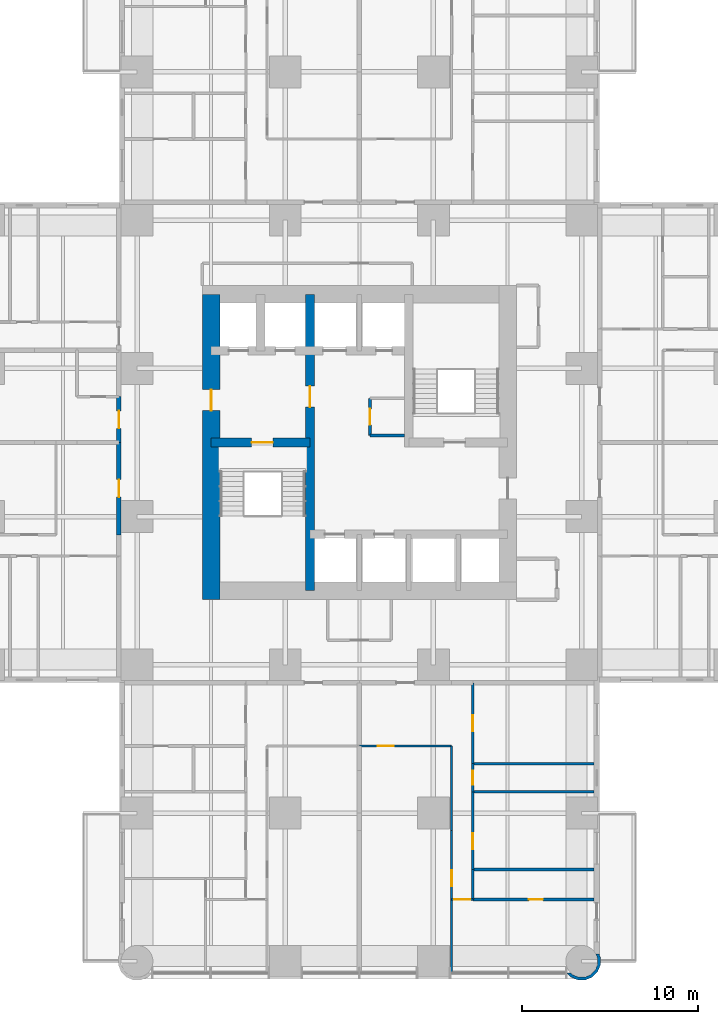
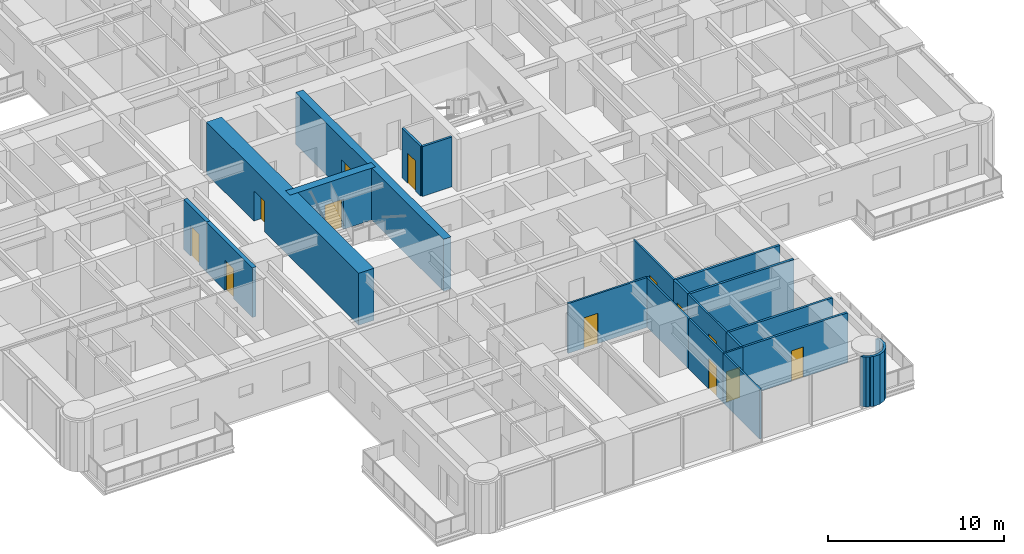
# One storey, part 9 of 17: 21 walls, 13 doors, 13 openings.
"""IFC4 building model written with IfcOpenShell, lengths in metres."""

from ifc_helpers import new_model, si_unit, direction, frame, frame_2d, origin, place, context, subcontext, project, spatial, polyline, rectangle, outline, extrude, material, layer, layer_set, type_object, element, fill, save


model = new_model("IFC4")

# Units and contexts
model_context = context("Model", 3, precision=1e-05, world=origin(), true_north=direction((0.0, 1.0)))
body_context = subcontext(model_context, "Body", "Model", "MODEL_VIEW")
ifc_project = project(units=[si_unit("LENGTHUNIT", "METRE"), si_unit("AREAUNIT", "SQUARE_METRE"), si_unit("VOLUMEUNIT", "CUBIC_METRE"), si_unit("PLANEANGLEUNIT", "RADIAN"), si_unit("MASSUNIT", "GRAM", prefix="KILO")], contexts=[model_context])

# Site, building, storey
site_placement = place(None, origin())
site = spatial("IfcSite", under=ifc_project, at=site_placement, CompositionType="ELEMENT")
building_placement = place(site_placement, origin())
building = spatial("IfcBuilding", under=site, at=building_placement, Name="Torre Alcanfor", CompositionType="ELEMENT")
storey_placement = place(building_placement, frame((0.0, 0.0, 48.89990234375)))
storey = spatial("IfcBuildingStorey", under=building, at=storey_placement, Name="L11", CompositionType="ELEMENT", Elevation=48.89990234375)

# Wall, opening, door
ifc_material_1 = material(Name="Concrete block masonry, hollow blocks NMX-C-404 9 MPa", Category="masonry")
ifc_layer_1 = layer(ifc_material_1, 0.25)
ifc_layer_set_1 = layer_set([ifc_layer_1], Name="Apartment entrance wall 250 EI 60")
wall_type_1 = type_object("IfcWallType", Name="Apartment entrance wall 250 EI 60", PredefinedType="PARTITIONING", material=ifc_layer_set_1)
wall_1_placement = place(storey_placement, frame((15.77490234375, 24.1708984375, 0.0), z_axis=(0.0, 0.0, 1.0), x_axis=(0.0, 1.0, 0.0)))
wall_1 = element("IfcWall", 1, at=wall_1_placement, inside=storey, type_object=wall_type_1, Name="Partition L11-CORR / L11-W1-ZAG", PredefinedType="PARTITIONING", context=body_context, shape_type="SweptSolid", body=[
    extrude(rectangle(XDim=5.22900390625, YDim=0.25, at=frame_2d((2.614501953125, 0.0))), origin(), (0.0, 0.0, 1.0), 3.4501953125),
])
opening_1_placement = place(wall_1_placement, frame((2.12890625, 0.0, 0.0)))
opening_1 = element("IfcOpeningElement", 2, at=opening_1_placement, cuts=wall_1, Name="Opening D-A1", PredefinedType="OPENING", context=body_context, shape_type="SweptSolid", body=[
    extrude(rectangle(XDim=1.0, YDim=2.10009765625, at=frame_2d((0.5, 1.050048828125))), frame((0.0, 0.135009765625, 0.0), z_axis=(0.0, -1.0, 0.0), x_axis=(1.0, 0.0, 0.0)), (0.0, 0.0, 1.0), 0.27001953125),
])
ifc_material_2 = material(Name="Galvanised steel sheet ASTM A653", Category="steel")
door_type_1 = type_object("IfcDoorType", Name="Apartment entrance door FD60 1000x2100", OperationType="SINGLE_SWING_LEFT", PredefinedType="DOOR", material=ifc_material_2)
door_1_placement = place(opening_1_placement, origin())
door_1 = element("IfcDoor", 3, at=door_1_placement, inside=storey, type_object=door_type_1, Name="Apartment entrance L11-W1", OperationType="SINGLE_SWING_RIGHT", OverallHeight=2.10009765625, OverallWidth=1.0, PredefinedType="DOOR", context=body_context, shape_type="SweptSolid", body=[
    extrude(rectangle(XDim=1.0, YDim=2.10009765625, at=frame_2d((0.5, 1.050048828125))), frame((0.0, 0.02490234375, 0.0), z_axis=(0.0, -1.0, 0.0), x_axis=(1.0, 0.0, 0.0)), (0.0, 0.0, 1.0), 0.050048828125),
])
fill(opening_1, door_1)

wall_2_placement = place(storey_placement, frame((15.77490234375, 29.39990234375, 0.0), z_axis=(0.0, 0.0, 1.0), x_axis=(0.0, 1.0, 0.0)))
wall_2 = element("IfcWall", 4, at=wall_2_placement, inside=storey, type_object=wall_type_1, Name="Partition L11-CORR / L11-W2A-FOYER", PredefinedType="PARTITIONING", context=body_context, shape_type="SweptSolid", body=[
    extrude(rectangle(XDim=2.60009765625, YDim=0.25, at=frame_2d((1.300048828125, 0.0))), origin(), (0.0, 0.0, 1.0), 3.4501953125),
])
opening_2_placement = place(wall_2_placement, frame((0.800048828125, 0.0, 0.0)))
opening_2 = element("IfcOpeningElement", 5, at=opening_2_placement, cuts=wall_2, Name="Opening D-A1", PredefinedType="OPENING", context=body_context, shape_type="SweptSolid", body=[
    extrude(rectangle(XDim=1.0, YDim=2.10009765625, at=frame_2d((0.5, 1.050048828125))), frame((0.0, 0.135009765625, 0.0), z_axis=(0.0, -1.0, 0.0), x_axis=(1.0, 0.0, 0.0)), (0.0, 0.0, 1.0), 0.27001953125),
])
door_2_placement = place(opening_2_placement, origin())
door_2 = element("IfcDoor", 6, at=door_2_placement, inside=storey, type_object=door_type_1, Name="Apartment entrance L11-W2A", OperationType="SINGLE_SWING_LEFT", OverallHeight=2.10009765625, OverallWidth=1.0, PredefinedType="DOOR", context=body_context, shape_type="SweptSolid", body=[
    extrude(rectangle(XDim=1.0, YDim=2.10009765625, at=frame_2d((0.5, 1.050048828125))), frame((0.0, 0.02490234375, 0.0), z_axis=(0.0, -1.0, 0.0), x_axis=(1.0, 0.0, 0.0)), (0.0, 0.0, 1.0), 0.050048828125),
])
fill(opening_2, door_2)

ifc_material_3 = material(Name="Gypsum board on steel studs", Category="steel")
ifc_layer_2 = layer(ifc_material_3, 0.1201171875)
ifc_layer_set_2 = layer_set([ifc_layer_2], Name="Apartment partition 120")
wall_type_2 = type_object("IfcWallType", Name="Apartment partition 120", PredefinedType="PARTITIONING", material=ifc_layer_set_2)
wall_3_placement = place(storey_placement, frame((29.39990234375, 12.199951171875, 0.0), z_axis=(0.0, 0.0, 1.0), x_axis=(1.0, 0.0, 0.0)))
wall_3 = element("IfcWall", 7, at=wall_3_placement, inside=storey, type_object=wall_type_2, Name="Partition L11-S1-ZAG / L11-S1-KITCHEN", PredefinedType="PARTITIONING", context=body_context, shape_type="SweptSolid", body=[
    extrude(rectangle(XDim=5.22900390625, YDim=0.1201171875, at=frame_2d((2.614501953125, 0.0))), origin(), (0.0, 0.0, 1.0), 3.4501953125),
])
opening_3_placement = place(wall_3_placement, frame((1.050048828125, 0.0, 0.0)))
opening_3 = element("IfcOpeningElement", 8, at=opening_3_placement, cuts=wall_3, Name="Opening D-R1", PredefinedType="OPENING", context=body_context, shape_type="SweptSolid", body=[
    extrude(rectangle(XDim=0.89990234375, YDim=2.10009765625, at=frame_2d((0.449951171875, 1.050048828125))), frame((0.0, 0.070068359375, 0.0), z_axis=(0.0, -1.0, 0.0), x_axis=(1.0, 0.0, 0.0)), (0.0, 0.0, 1.0), 0.14013671875),
])
ifc_material_4 = material(Name="Timber", Category="wood")
door_type_2 = type_object("IfcDoorType", Name="Internal door 900x2100", OperationType="SINGLE_SWING_LEFT", PredefinedType="DOOR", material=ifc_material_4)
door_3_placement = place(opening_3_placement, frame((0.89990234375, 0.0, 0.0), z_axis=(0.0, 0.0, 1.0), x_axis=(-1.0, 0.0, 0.0)))
door_3 = element("IfcDoor", 9, at=door_3_placement, inside=storey, type_object=door_type_2, Name="Door L11-S1 kitchen", OperationType="SINGLE_SWING_RIGHT", OverallHeight=2.10009765625, OverallWidth=0.89990234375, PredefinedType="DOOR", context=body_context, shape_type="SweptSolid", body=[
    extrude(rectangle(XDim=0.89990234375, YDim=2.10009765625, at=frame_2d((0.449951171875, 1.050048828125))), frame((0.0, 0.025146484375, 0.0), z_axis=(0.0, -1.0, 0.0), x_axis=(1.0, 0.0, 0.0)), (0.0, 0.0, 1.0), 0.050048828125),
])
fill(opening_3, door_3)

# Wall
wall_4_placement = place(storey_placement, frame((34.62890625, 7.39990234375, 0.0), z_axis=(0.0, 0.0, 1.0), x_axis=(0.0, 1.0, 0.0)))
element("IfcWall", 10, at=wall_4_placement, inside=storey, type_object=wall_type_2, Name="Partition L11-S1-KITCHEN / L11-S1-HALL", PredefinedType="PARTITIONING", context=body_context, shape_type="SweptSolid", body=[
    extrude(rectangle(XDim=4.800048828125, YDim=0.1201171875, at=frame_2d((2.39990234375, 0.0))), origin(), (0.0, 0.0, 1.0), 3.4501953125),
])

# Wall, opening, door
wall_5_placement = place(storey_placement, frame((34.62890625, 3.5, 0.0), z_axis=(0.0, 0.0, 1.0), x_axis=(0.0, 1.0, 0.0)))
wall_5 = element("IfcWall", 11, at=wall_5_placement, inside=storey, type_object=wall_type_2, Name="Partition L11-S1-LIVING / L11-S1-HALL", PredefinedType="PARTITIONING", context=body_context, shape_type="SweptSolid", body=[
    extrude(rectangle(XDim=3.89990234375, YDim=0.1201171875, at=frame_2d((1.949951171875, 0.0))), origin(), (0.0, 0.0, 1.0), 3.4501953125),
])
opening_4_placement = place(wall_5_placement, frame((0.75, 0.0, 0.0)))
opening_4 = element("IfcOpeningElement", 12, at=opening_4_placement, cuts=wall_5, Name="Opening D-R1", PredefinedType="OPENING", context=body_context, shape_type="SweptSolid", body=[
    extrude(rectangle(XDim=0.89990234375, YDim=2.10009765625, at=frame_2d((0.449951171875, 1.050048828125))), frame((0.0, 0.070068359375, 0.0), z_axis=(0.0, -1.0, 0.0), x_axis=(1.0, 0.0, 0.0)), (0.0, 0.0, 1.0), 0.14013671875),
])
door_4_placement = place(opening_4_placement, origin())
door_4 = element("IfcDoor", 13, at=door_4_placement, inside=storey, type_object=door_type_2, Name="Door L11-S1 living", OperationType="SINGLE_SWING_RIGHT", OverallHeight=2.10009765625, OverallWidth=0.89990234375, PredefinedType="DOOR", context=body_context, shape_type="SweptSolid", body=[
    extrude(rectangle(XDim=0.89990234375, YDim=2.10009765625, at=frame_2d((0.449951171875, 1.050048828125))), frame((0.0, 0.02490234375, 0.0), z_axis=(0.0, -1.0, 0.0), x_axis=(1.0, 0.0, 0.0)), (0.0, 0.0, 1.0), 0.050048828125),
])
fill(opening_4, door_4)

# Wall
wall_6_placement = place(storey_placement, frame((34.62890625, -0.64990234375, 0.0), z_axis=(0.0, 0.0, 1.0), x_axis=(0.0, 1.0, 0.0)))
element("IfcWall", 14, at=wall_6_placement, inside=storey, type_object=wall_type_2, Name="Partition L11-S1-LIVING / L11-S1-MASTER", PredefinedType="PARTITIONING", context=body_context, shape_type="SweptSolid", body=[
    extrude(rectangle(XDim=4.14990234375, YDim=0.1201171875, at=frame_2d((2.074951171875, 0.0))), origin(), (0.0, 0.0, 1.0), 3.4501953125),
])

# Wall, opening, door
wall_7_placement = place(storey_placement, frame((35.8291015625, 11.199951171875, 0.0), z_axis=(0.0, 0.0, 1.0), x_axis=(0.0, 1.0, 0.0)))
wall_7 = element("IfcWall", 15, at=wall_7_placement, inside=storey, type_object=wall_type_2, Name="Partition L11-S1-HALL / L11-S1-BED3", PredefinedType="PARTITIONING", context=body_context, shape_type="SweptSolid", body=[
    extrude(rectangle(XDim=4.574951171875, YDim=0.1201171875, at=frame_2d((2.28759765625, 0.0))), origin(), (0.0, 0.0, 1.0), 3.4501953125),
])
opening_5_placement = place(wall_7_placement, frame((1.85009765625, 0.0, 0.0)))
opening_5 = element("IfcOpeningElement", 16, at=opening_5_placement, cuts=wall_7, Name="Opening D-R1", PredefinedType="OPENING", context=body_context, shape_type="SweptSolid", body=[
    extrude(rectangle(XDim=0.89990234375, YDim=2.10009765625, at=frame_2d((0.449951171875, 1.050048828125))), frame((0.0, 0.070068359375, 0.0), z_axis=(0.0, -1.0, 0.0), x_axis=(1.0, 0.0, 0.0)), (0.0, 0.0, 1.0), 0.14013671875),
])
door_5_placement = place(opening_5_placement, frame((0.89990234375, 0.0, 0.0), z_axis=(0.0, 0.0, 1.0), x_axis=(-1.0, 0.0, 0.0)))
door_5 = element("IfcDoor", 17, at=door_5_placement, inside=storey, type_object=door_type_2, Name="Door L11-S1 bed3", OperationType="SINGLE_SWING_LEFT", OverallHeight=2.10009765625, OverallWidth=0.89990234375, PredefinedType="DOOR", context=body_context, shape_type="SweptSolid", body=[
    extrude(rectangle(XDim=0.89990234375, YDim=2.10009765625, at=frame_2d((0.449951171875, 1.050048828125))), frame((0.0, 0.025146484375, 0.0), z_axis=(0.0, -1.0, 0.0), x_axis=(1.0, 0.0, 0.0)), (0.0, 0.0, 1.0), 0.050048828125),
])
fill(opening_5, door_5)

wall_8_placement = place(storey_placement, frame((35.8291015625, 5.199951171875, 0.0), z_axis=(0.0, 0.0, 1.0), x_axis=(0.0, 1.0, 0.0)))
wall_8 = element("IfcWall", 18, at=wall_8_placement, inside=storey, type_object=wall_type_2, Name="Partition L11-S1-HALL / L11-S1-BED2", PredefinedType="PARTITIONING", context=body_context, shape_type="SweptSolid", body=[
    extrude(rectangle(XDim=4.400146484375, YDim=0.1201171875, at=frame_2d((2.2001953125, 0.0))), origin(), (0.0, 0.0, 1.0), 3.4501953125),
])
opening_6_placement = place(wall_8_placement, frame((1.14990234375, 0.0, 0.0)))
opening_6 = element("IfcOpeningElement", 19, at=opening_6_placement, cuts=wall_8, Name="Opening D-R1", PredefinedType="OPENING", context=body_context, shape_type="SweptSolid", body=[
    extrude(rectangle(XDim=0.89990234375, YDim=2.10009765625, at=frame_2d((0.449951171875, 1.050048828125))), frame((0.0, 0.070068359375, 0.0), z_axis=(0.0, -1.0, 0.0), x_axis=(1.0, 0.0, 0.0)), (0.0, 0.0, 1.0), 0.14013671875),
])
door_6_placement = place(opening_6_placement, frame((0.89990234375, 0.0, 0.0), z_axis=(0.0, 0.0, 1.0), x_axis=(-1.0, 0.0, 0.0)))
door_6 = element("IfcDoor", 20, at=door_6_placement, inside=storey, type_object=door_type_2, Name="Door L11-S1 bed2", OperationType="SINGLE_SWING_RIGHT", OverallHeight=2.10009765625, OverallWidth=0.89990234375, PredefinedType="DOOR", context=body_context, shape_type="SweptSolid", body=[
    extrude(rectangle(XDim=0.89990234375, YDim=2.10009765625, at=frame_2d((0.449951171875, 1.050048828125))), frame((0.0, 0.025146484375, 0.0), z_axis=(0.0, -1.0, 0.0), x_axis=(1.0, 0.0, 0.0)), (0.0, 0.0, 1.0), 0.050048828125),
])
fill(opening_6, door_6)

wall_9_placement = place(storey_placement, frame((34.62890625, 3.5, 0.0), z_axis=(0.0, 0.0, 1.0), x_axis=(1.0, 0.0, 0.0)))
wall_9 = element("IfcWall", 21, at=wall_9_placement, inside=storey, type_object=wall_type_2, Name="Partition L11-S1-HALL / L11-S1-MASTER", PredefinedType="PARTITIONING", context=body_context, shape_type="SweptSolid", body=[
    extrude(rectangle(XDim=1.2001953125, YDim=0.1201171875, at=frame_2d((0.60009765625, 0.0))), origin(), (0.0, 0.0, 1.0), 3.4501953125),
])
opening_7_placement = place(wall_9_placement, frame((0.15087890625, 0.0, 0.0)))
opening_7 = element("IfcOpeningElement", 22, at=opening_7_placement, cuts=wall_9, Name="Opening D-R1", PredefinedType="OPENING", context=body_context, shape_type="SweptSolid", body=[
    extrude(rectangle(XDim=0.89990234375, YDim=2.10009765625, at=frame_2d((0.449951171875, 1.050048828125))), frame((0.0, 0.070068359375, 0.0), z_axis=(0.0, -1.0, 0.0), x_axis=(1.0, 0.0, 0.0)), (0.0, 0.0, 1.0), 0.14013671875),
])
door_7_placement = place(opening_7_placement, frame((0.89990234375, 0.0, 0.0), z_axis=(0.0, 0.0, 1.0), x_axis=(-1.0, 0.0, 0.0)))
door_7 = element("IfcDoor", 23, at=door_7_placement, inside=storey, type_object=door_type_2, Name="Door L11-S1 master", OperationType="SINGLE_SWING_RIGHT", OverallHeight=2.10009765625, OverallWidth=0.89990234375, PredefinedType="DOOR", context=body_context, shape_type="SweptSolid", body=[
    extrude(rectangle(XDim=0.89990234375, YDim=2.10009765625, at=frame_2d((0.449951171875, 1.050048828125))), frame((0.0, 0.025146484375, 0.0), z_axis=(0.0, -1.0, 0.0), x_axis=(1.0, 0.0, 0.0)), (0.0, 0.0, 1.0), 0.050048828125),
])
fill(opening_7, door_7)

ifc_material_5 = material(Name="Concrete f'c 70 MPa", Category="concrete")
ifc_layer_3 = layer(ifc_material_5, 0.5)
ifc_layer_set_3 = layer_set([ifc_layer_3], Name="Core inner wall 500 f'c70")
wall_type_3 = type_object("IfcWallType", Name="Core inner wall 500 f'c70", PredefinedType="SHEAR", material=ifc_layer_set_3)
wall_10_placement = place(storey_placement, frame((26.60009765625, 21.0, 0.0), z_axis=(0.0, 0.0, 1.0), x_axis=(0.0, 1.0, 0.0)))
wall_10 = element("IfcWall", 24, at=wall_10_placement, inside=storey, type_object=wall_type_3, Name="Core wall X266 L11", PredefinedType="SHEAR", context=body_context, shape_type="SweptSolid", body=[
    extrude(rectangle(XDim=16.800048828125, YDim=0.5, at=frame_2d((8.39990234375, 0.0))), origin(), (0.0, 0.0, 1.0), 3.60009765625),
])
opening_8_placement = place(wall_10_placement, frame((10.39990234375, 0.0, 0.0)))
opening_8 = element("IfcOpeningElement", 25, at=opening_8_placement, cuts=wall_10, Name="Opening D-L1", PredefinedType="OPENING", context=body_context, shape_type="SweptSolid", body=[
    extrude(rectangle(XDim=1.199951171875, YDim=2.10009765625, at=frame_2d((0.60009765625, 1.050048828125))), frame((0.0, 0.260009765625, 0.0), z_axis=(0.0, -1.0, 0.0), x_axis=(1.0, 0.0, 0.0)), (0.0, 0.0, 1.0), 0.52001953125),
])
ifc_material_6 = material(Name="Galvanised steel sheet ASTM A653", Category="steel")
door_type_3 = type_object("IfcDoorType", Name="Lobby door FD120 1200x2100", OperationType="SINGLE_SWING_LEFT", PredefinedType="DOOR", material=ifc_material_6)
door_8_placement = place(opening_8_placement, origin())
door_8 = element("IfcDoor", 26, at=door_8_placement, inside=storey, type_object=door_type_3, Name="Lift lobby door L11", OperationType="SINGLE_SWING_LEFT", OverallHeight=2.10009765625, OverallWidth=1.199951171875, PredefinedType="DOOR", context=body_context, shape_type="SweptSolid", body=[
    extrude(rectangle(XDim=1.199951171875, YDim=2.10009765625, at=frame_2d((0.60009765625, 1.050048828125))), frame((0.0, 0.02490234375, 0.0), z_axis=(0.0, -1.0, 0.0), x_axis=(1.0, 0.0, 0.0)), (0.0, 0.0, 1.0), 0.050048828125),
])
fill(opening_8, door_8)

wall_11_placement = place(storey_placement, frame((21.0, 29.39990234375, 0.0), z_axis=(0.0, 0.0, 1.0), x_axis=(1.0, 0.0, 0.0)))
wall_11 = element("IfcWall", 27, at=wall_11_placement, inside=storey, type_object=wall_type_3, Name="Core wall Y294W L11", PredefinedType="SHEAR", context=body_context, shape_type="SweptSolid", body=[
    extrude(rectangle(XDim=5.60009765625, YDim=0.5, at=frame_2d((2.800048828125, 0.0))), origin(), (0.0, 0.0, 1.0), 3.60009765625),
])
opening_9_placement = place(wall_11_placement, frame((2.300048828125, 0.0, 0.0)))
opening_9 = element("IfcOpeningElement", 28, at=opening_9_placement, cuts=wall_11, Name="Opening D-S2", PredefinedType="OPENING", context=body_context, shape_type="SweptSolid", body=[
    extrude(rectangle(XDim=1.199951171875, YDim=2.10009765625, at=frame_2d((0.60009765625, 1.050048828125))), frame((0.0, 0.260009765625, 0.0), z_axis=(0.0, -1.0, 0.0), x_axis=(1.0, 0.0, 0.0)), (0.0, 0.0, 1.0), 0.52001953125),
])
ifc_material_7 = material(Name="Galvanised steel sheet ASTM A653", Category="steel")
door_type_4 = type_object("IfcDoorType", Name="Stair enclosure door FD120 1200x2100", OperationType="SINGLE_SWING_LEFT", PredefinedType="DOOR", material=ifc_material_7)
door_9_placement = place(opening_9_placement, frame((1.199951171875, 0.0, 0.0), z_axis=(0.0, 0.0, 1.0), x_axis=(-1.0, 0.0, 0.0)))
door_9 = element("IfcDoor", 29, at=door_9_placement, inside=storey, type_object=door_type_4, Name="Stair S1 door L11", OperationType="SINGLE_SWING_LEFT", OverallHeight=2.10009765625, OverallWidth=1.199951171875, PredefinedType="DOOR", context=body_context, shape_type="SweptSolid", body=[
    extrude(rectangle(XDim=1.199951171875, YDim=2.10009765625, at=frame_2d((0.599853515625, 1.050048828125))), frame((0.0, 0.025146484375, 0.0), z_axis=(0.0, -1.0, 0.0), x_axis=(1.0, 0.0, 0.0)), (0.0, 0.0, 1.0), 0.050048828125),
])
fill(opening_9, door_9)

ifc_material_8 = material(Name="Concrete f'c 70 MPa", Category="concrete")
ifc_layer_4 = layer(ifc_material_8, 1.0)
ifc_layer_set_4 = layer_set([ifc_layer_4], Name="Core wall 1000 f'c70")
wall_type_4 = type_object("IfcWallType", Name="Core wall 1000 f'c70", PredefinedType="SHEAR", material=ifc_layer_set_4)
wall_12_placement = place(storey_placement, frame((21.0, 37.800048828125, 0.0), z_axis=(0.0, 0.0, 1.0), x_axis=(0.0, -1.0, 0.0)))
wall_12 = element("IfcWall", 30, at=wall_12_placement, inside=storey, type_object=wall_type_4, Name="Core wall OUT-W L11", PredefinedType="SHEAR", context=body_context, shape_type="SweptSolid", body=[
    extrude(rectangle(XDim=17.300048828125, YDim=1.0, at=frame_2d((8.64990234375, 0.0))), origin(), (0.0, 0.0, 1.0), 3.60009765625),
])
opening_10_placement = place(wall_12_placement, frame((5.39990234375, 0.0, 0.0)))
opening_10 = element("IfcOpeningElement", 31, at=opening_10_placement, cuts=wall_12, Name="Opening D-L1", PredefinedType="OPENING", context=body_context, shape_type="SweptSolid", body=[
    extrude(rectangle(XDim=1.199951171875, YDim=2.10009765625, at=frame_2d((0.60009765625, 1.050048828125))), frame((0.0, 0.510009765625, 0.0), z_axis=(0.0, -1.0, 0.0), x_axis=(1.0, 0.0, 0.0)), (0.0, 0.0, 1.0), 1.02001953125),
])
door_10_placement = place(opening_10_placement, origin())
door_10 = element("IfcDoor", 32, at=door_10_placement, inside=storey, type_object=door_type_3, Name="Firefighting lobby door L11", OperationType="SINGLE_SWING_LEFT", OverallHeight=2.10009765625, OverallWidth=1.199951171875, PredefinedType="DOOR", context=body_context, shape_type="SweptSolid", body=[
    extrude(rectangle(XDim=1.199951171875, YDim=2.10009765625, at=frame_2d((0.60009765625, 1.050048828125))), frame((0.0, 0.02490234375, 0.0), z_axis=(0.0, -1.0, 0.0), x_axis=(1.0, 0.0, 0.0)), (0.0, 0.0, 1.0), 0.050048828125),
])
fill(opening_10, door_10)

# Wall
ifc_material_9 = material(Name="Limestone cladding", Category="masonry")
ifc_layer_5 = layer(ifc_material_9, 0.0400390625, Name="Facing")
ifc_material_10 = material(Name="Ventilated air cavity")
ifc_layer_6 = layer(ifc_material_10, 0.02001953125, ventilated=True, Name="Ventilated joint")
ifc_material_11 = material(Name="Mineral wool insulation", Category="insulation")
ifc_layer_7 = layer(ifc_material_11, 0.10009765625, Name="Insulation")
ifc_material_12 = material(Name="Concrete f'c 35 MPa", Category="concrete")
ifc_layer_8 = layer(ifc_material_12, 0.139892578125, Name="Backing")
ifc_layer_set_5 = layer_set([ifc_layer_5, ifc_layer_6, ifc_layer_7, ifc_layer_8], Name="Rounded corner pier stone-clad 300")
wall_type_5 = type_object("IfcWallType", Name="Rounded corner pier stone-clad 300", PredefinedType="SOLIDWALL", material=ifc_layer_set_5)
wall_13_placement = place(storey_placement, frame((41.23340608, -0.610519256, 0.0), z_axis=(0.0, 0.0, 1.0), x_axis=(0.377204953059, -0.926129809145, 0.0)))
element("IfcWall", 33, at=wall_13_placement, inside=storey, type_object=wall_type_5, Name="Corner pier L11 16", PredefinedType="SOLIDWALL", context=body_context, shape_type="SweptSolid", body=[
    extrude(outline(polyline([(0.31873169437185855, 1.8425336525024494), (-0.07152710704046505, 2.001482809968314), (-0.24009471588869835, 2.0005449414227563), (-0.26941358666453996, 2.017231322070639), (-0.37003424962124987, 1.840731870737274), (-0.10240281114565264, 1.842182010528029), (0.22952066537421467, 1.7069923447343507), (0.48468330510664415, 1.4551793700683648), (0.6237907271323827, 1.1248909220292227), (0.6256685839754508, 0.7664021208386822), (0.49047891818177247, 0.4344786443188148), (0.23866594351578668, 0.1793160045863853), (0.09016005264750862, 0.11695717207098313), (0.01086965602056237, -0.07772001681430692), (0.024436010646714988, -0.08324547999388505), (0.3295868985749782, 0.04527476829386376), (0.48015223740573765, 0.19747796194128653), (0.49902760591309464, 0.19268993376963664), (0.5075741737852856, 0.2253240824532252), (0.6260202259498713, 0.3452676153211709), (0.7849693834157356, 0.7355264167334946), (0.7824906971943995, 1.1572636358175066), (0.6187245413991658, 1.5461003251275562), (0.31873169437185855, 1.8425336525024494)])), origin(), (0.0, 0.0, 1.0), 3.4501953125),
])

# Wall, opening, door
ifc_material_13 = material(Name="Cement board on steel studs", Category="steel")
ifc_layer_9 = layer(ifc_material_13, 0.14990234375)
ifc_layer_set_6 = layer_set([ifc_layer_9], Name="Wet area partition 150")
wall_type_6 = type_object("IfcWallType", Name="Wet area partition 150", PredefinedType="PARTITIONING", material=ifc_layer_set_6)
wall_14_placement = place(storey_placement, frame((35.8291015625, 9.60009765625, 0.0), z_axis=(0.0, 0.0, 1.0), x_axis=(0.0, 1.0, 0.0)))
wall_14 = element("IfcWall", 34, at=wall_14_placement, inside=storey, type_object=wall_type_6, Name="Partition L11-S1-HALL / L11-S1-BATH1", PredefinedType="PARTITIONING", context=body_context, shape_type="SweptSolid", body=[
    extrude(rectangle(XDim=1.599853515625, YDim=0.14990234375, at=frame_2d((0.7998046875, 0.0))), origin(), (0.0, 0.0, 1.0), 3.4501953125),
])
opening_11_placement = place(wall_14_placement, frame((0.39990234375, 0.0, 0.0)))
opening_11 = element("IfcOpeningElement", 35, at=opening_11_placement, cuts=wall_14, Name="Opening D-R2", PredefinedType="OPENING", context=body_context, shape_type="SweptSolid", body=[
    extrude(rectangle(XDim=0.800048828125, YDim=2.10009765625, at=frame_2d((0.39990234375, 1.050048828125))), frame((0.0, 0.0849609375, 0.0), z_axis=(0.0, -1.0, 0.0), x_axis=(1.0, 0.0, 0.0)), (0.0, 0.0, 1.0), 0.169921875),
])
ifc_material_14 = material(Name="Timber", Category="wood")
door_type_5 = type_object("IfcDoorType", Name="Bathroom door 800x2100", OperationType="SINGLE_SWING_LEFT", PredefinedType="DOOR", material=ifc_material_14)
door_11_placement = place(opening_11_placement, frame((0.800048828125, 0.0, 0.0), z_axis=(0.0, 0.0, 1.0), x_axis=(-1.0, 0.0, 0.0)))
door_11 = element("IfcDoor", 36, at=door_11_placement, inside=storey, type_object=door_type_5, Name="Door L11-S1 bath1", OperationType="SINGLE_SWING_RIGHT", OverallHeight=2.10009765625, OverallWidth=0.800048828125, PredefinedType="DOOR", context=body_context, shape_type="SweptSolid", body=[
    extrude(rectangle(XDim=0.800048828125, YDim=2.10009765625, at=frame_2d((0.400146484375, 1.050048828125))), frame((0.0, 0.025146484375, 0.0), z_axis=(0.0, -1.0, 0.0), x_axis=(1.0, 0.0, 0.0)), (0.0, 0.0, 1.0), 0.050048828125),
])
fill(opening_11, door_11)

# Walls
wall_15_placement = place(storey_placement, frame((35.8291015625, 3.5, 0.0), z_axis=(0.0, 0.0, 1.0), x_axis=(0.0, 1.0, 0.0)))
element("IfcWall", 37, at=wall_15_placement, inside=storey, type_object=wall_type_6, Name="Partition L11-S1-HALL / L11-S1-ENSBATH", PredefinedType="PARTITIONING", context=body_context, shape_type="SweptSolid", body=[
    extrude(rectangle(XDim=1.699951171875, YDim=0.14990234375, at=frame_2d((0.85009765625, 0.0))), origin(), (0.0, 0.0, 1.0), 3.4501953125),
])
for number, where, z_axis, x_axis, name in (
    (38, (35.8291015625, 11.199951171875, 0.0), (0.0, 0.0, 1.0), (1.0, 0.0, 0.0), "Partition L11-S1-BED3 / L11-S1-BATH1"),
    (39, (35.8291015625, 9.60009765625, 0.0), (0.0, 0.0, 1.0), (1.0, 0.0, 0.0), "Partition L11-S1-BATH1 / L11-S1-BED2"),
    (40, (35.8291015625, 5.199951171875, 0.0), (0.0, 0.0, 1.0), (1.0, 0.0, 0.0), "Partition L11-S1-BED2 / L11-S1-ENSBATH"),
):
    element("IfcWall", number, at=place(storey_placement, frame(where, z_axis=z_axis, x_axis=x_axis)), inside=storey, type_object=wall_type_6, Name=name, PredefinedType="PARTITIONING", context=body_context, shape_type="SweptSolid", body=[
        extrude(rectangle(XDim=6.870849609375, YDim=0.14990234375, at=frame_2d((3.435546875, 0.0))), origin(), (0.0, 0.0, 1.0), 3.4501953125),
    ])

# Wall, opening, door
wall_16_placement = place(storey_placement, frame((35.8291015625, 3.5, 0.0), z_axis=(0.0, 0.0, 1.0), x_axis=(1.0, 0.0, 0.0)))
wall_16 = element("IfcWall", 41, at=wall_16_placement, inside=storey, type_object=wall_type_6, Name="Partition L11-S1-ENSBATH / L11-S1-MASTER", PredefinedType="PARTITIONING", context=body_context, shape_type="SweptSolid", body=[
    extrude(rectangle(XDim=6.870849609375, YDim=0.14990234375, at=frame_2d((3.435546875, 0.0))), origin(), (0.0, 0.0, 1.0), 3.4501953125),
])
opening_12_placement = place(wall_16_placement, frame((3.1708984375, 0.0, 0.0)))
opening_12 = element("IfcOpeningElement", 42, at=opening_12_placement, cuts=wall_16, Name="Opening D-R2", PredefinedType="OPENING", context=body_context, shape_type="SweptSolid", body=[
    extrude(rectangle(XDim=0.800048828125, YDim=2.10009765625, at=frame_2d((0.39990234375, 1.050048828125))), frame((0.0, 0.0849609375, 0.0), z_axis=(0.0, -1.0, 0.0), x_axis=(1.0, 0.0, 0.0)), (0.0, 0.0, 1.0), 0.169921875),
])
door_12_placement = place(opening_12_placement, origin())
door_12 = element("IfcDoor", 43, at=door_12_placement, inside=storey, type_object=door_type_5, Name="Door L11-S1 ensbath", OperationType="SINGLE_SWING_RIGHT", OverallHeight=2.10009765625, OverallWidth=0.800048828125, PredefinedType="DOOR", context=body_context, shape_type="SweptSolid", body=[
    extrude(rectangle(XDim=0.800048828125, YDim=2.10009765625, at=frame_2d((0.39990234375, 1.050048828125))), frame((0.0, 0.02490234375, 0.0), z_axis=(0.0, -1.0, 0.0), x_axis=(1.0, 0.0, 0.0)), (0.0, 0.0, 1.0), 0.050048828125),
])
fill(opening_12, door_12)

# Wall
wall_17_placement = place(storey_placement, frame((31.949951171875, 29.800048828125, 0.0), z_axis=(0.0, 0.0, 1.0), x_axis=(-1.0, 0.0, 0.0)))
element("IfcWall", 44, at=wall_17_placement, inside=storey, type_object=wall_type_6, Name="Partition L11-LL / L11-CR1", PredefinedType="PARTITIONING", context=body_context, shape_type="SweptSolid", body=[
    extrude(rectangle(XDim=1.949951171875, YDim=0.14990234375, at=frame_2d((0.97509765625, 0.0))), origin(), (0.0, 0.0, 1.0), 3.4501953125),
])

# Wall, opening, door
wall_18_placement = place(storey_placement, frame((30.0, 29.800048828125, 0.0), z_axis=(0.0, 0.0, 1.0), x_axis=(0.0, 1.0, 0.0)))
wall_18 = element("IfcWall", 45, at=wall_18_placement, inside=storey, type_object=wall_type_6, Name="Partition L11-LL / L11-CR1", PredefinedType="PARTITIONING", context=body_context, shape_type="SweptSolid", body=[
    extrude(rectangle(XDim=2.099853515625, YDim=0.14990234375, at=frame_2d((1.0498046875, 0.0))), origin(), (0.0, 0.0, 1.0), 3.4501953125),
])
opening_13_placement = place(wall_18_placement, frame((0.60009765625, 0.0, 0.0)))
opening_13 = element("IfcOpeningElement", 46, at=opening_13_placement, cuts=wall_18, Name="Opening D-W1", PredefinedType="OPENING", context=body_context, shape_type="SweptSolid", body=[
    extrude(rectangle(XDim=0.89990234375, YDim=2.10009765625, at=frame_2d((0.449951171875, 1.050048828125))), frame((0.0, 0.0849609375, 0.0), z_axis=(0.0, -1.0, 0.0), x_axis=(1.0, 0.0, 0.0)), (0.0, 0.0, 1.0), 0.169921875),
])
ifc_material_15 = material(Name="Timber", Category="wood")
door_type_6 = type_object("IfcDoorType", Name="Toilet door 900x2100", OperationType="SINGLE_SWING_LEFT", PredefinedType="DOOR", material=ifc_material_15)
door_13_placement = place(opening_13_placement, frame((0.89990234375, 0.0, 0.0), z_axis=(0.0, 0.0, 1.0), x_axis=(-1.0, 0.0, 0.0)))
door_13 = element("IfcDoor", 47, at=door_13_placement, inside=storey, type_object=door_type_6, Name="Staff WC door L11", OperationType="SINGLE_SWING_RIGHT", OverallHeight=2.10009765625, OverallWidth=0.89990234375, PredefinedType="DOOR", context=body_context, shape_type="SweptSolid", body=[
    extrude(rectangle(XDim=0.89990234375, YDim=2.10009765625, at=frame_2d((0.449951171875, 1.050048828125))), frame((0.0, 0.025146484375, 0.0), z_axis=(0.0, -1.0, 0.0), x_axis=(1.0, 0.0, 0.0)), (0.0, 0.0, 1.0), 0.050048828125),
])
fill(opening_13, door_13)

save(model, "model.ifc")
